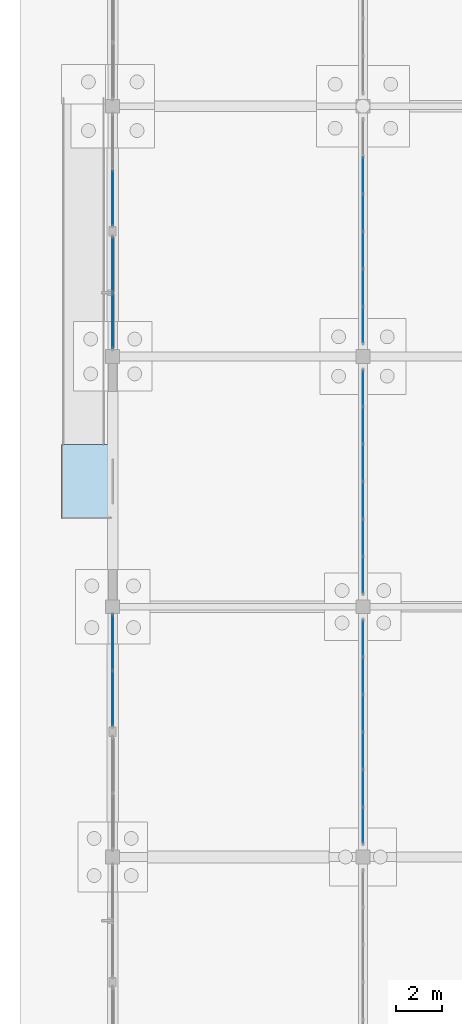
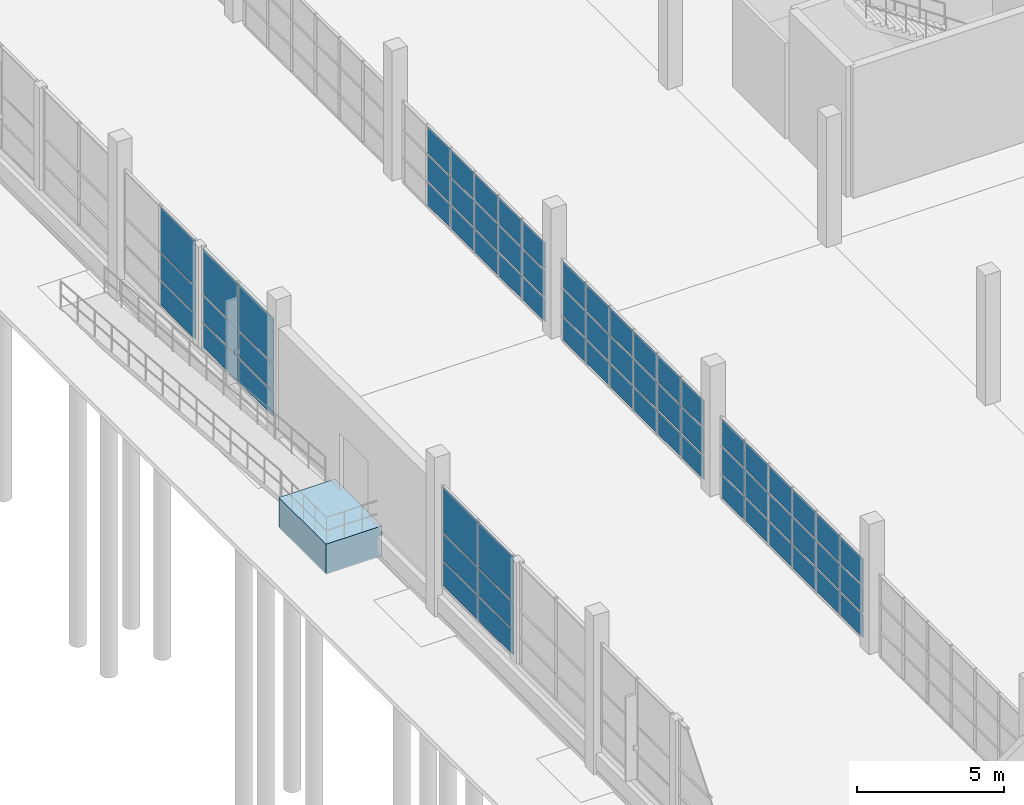
# One storey, part 82 of 138: 66 plates, 1 slab, 6 elements without a shape of their own.
"""IFC4 building model written with IfcOpenShell, lengths in metres."""

from ifc_helpers import new_model, si_unit, direction, frame, origin, origin_2d, place, context, subcontext, project, spatial, polyline, rectangle, outline, extrude, material, layer, layer_set, type_object, element, aggregate, save


model = new_model("IFC4")

# Units and contexts
model_context = context("Model", 3, precision=1e-05, world=origin(), true_north=direction((0.0, 1.0)))
body_context = subcontext(model_context, "Body", "Model", "MODEL_VIEW")
ifc_project = project(units=[si_unit("LENGTHUNIT", "METRE"), si_unit("AREAUNIT", "SQUARE_METRE"), si_unit("VOLUMEUNIT", "CUBIC_METRE"), si_unit("PLANEANGLEUNIT", "RADIAN"), si_unit("MASSUNIT", "GRAM", prefix="KILO")], contexts=[model_context])

# Site, building, storey
site_placement = place(None, origin())
site = spatial("IfcSite", under=ifc_project, at=site_placement, CompositionType="ELEMENT")
building_placement = place(site_placement, origin())
building = spatial("IfcBuilding", under=site, at=building_placement, Name="Zwinboog Wholesale Market", CompositionType="ELEMENT")
storey_placement = place(building_placement, origin())
storey = spatial("IfcBuildingStorey", under=building, at=storey_placement, Name="L00", CompositionType="ELEMENT", Elevation=0.0)

# Slab
ifc_material_1 = material(Name="Concrete C40/50", Category="concrete")
ifc_layer_1 = layer(ifc_material_1, 0.241943359375)
ifc_layer_set_1 = layer_set([ifc_layer_1], Name="Concrete C40/50")
slab_type = type_object("IfcSlabType", Name="SLT-EX-242", PredefinedType="FLOOR", material=ifc_layer_set_1)
slab_placement = place(storey_placement, frame((0.0, 0.0, -1.25)))
element("IfcSlab", 1, at=slab_placement, inside=storey, type_object=slab_type, Name="ST-242 (SLB-STP-01)", PredefinedType="FLOOR", context=body_context, shape_type="SweptSolid", body=[
    extrude(outline(polyline([(-2.199951171875, 47.0), (0.0, 47.0), (0.0, 50.199951171875), (-2.199951171875, 50.199951171875), (-2.199951171875, 47.0)])), origin(), (0.0, 0.0, 1.0), 1.25),
])

# Curtain wall, plates
ifc_material_2 = material(Name="Aluminium thermally broken curtain wall", Category="aluminium")
curtain_wall_type_1 = type_object("IfcCurtainWallType", Name="CWT-STALL-20", PredefinedType="USERDEFINED", material=ifc_material_2)
curtain_wall_1_placement = place(storey_placement, origin())
curtain_wall_1 = element("IfcCurtainWall", 2, at=curtain_wall_1_placement, inside=storey, type_object=curtain_wall_type_1, Name="CW-02 (CW-L00-008)", ObjectType="STOREFRONT_GLAZING", PredefinedType="USERDEFINED")
ifc_material_3 = material(Name="Double low-e insulated glazing", Category="glass")
ifc_layer_2 = layer(ifc_material_3, 0.031982421875)
ifc_layer_set_2 = layer_set([ifc_layer_2], Name="Double low-e insulated glazing")
plate_type_1 = type_object("IfcPlateType", Name="CWP-IGU-32", PredefinedType="CURTAIN_PANEL", material=ifc_layer_set_2)
plate_1_placement = place(storey_placement, frame((0.0, 39.2412109375, 0.06005859375), z_axis=(0.0, 0.0, 1.0), x_axis=(0.0, 1.0, 0.0)))
plate_1 = element("IfcPlate", 3, at=plate_1_placement, type_object=plate_type_1, Name="CW-02 panel 1.1", PredefinedType="CURTAIN_PANEL", context=body_context, shape_type="SweptSolid", body=[
    extrude(rectangle(XDim=2.362548828125, YDim=0.031982421875, at=origin_2d()), origin(), (0.0, 0.0, 1.0), 1.010009765625),
])
plate_2_placement = place(storey_placement, frame((0.0, 39.2412109375, 1.1298828125), z_axis=(0.0, 0.0, 1.0), x_axis=(0.0, 1.0, 0.0)))
plate_2 = element("IfcPlate", 4, at=plate_2_placement, type_object=plate_type_1, Name="CW-02 panel 1.2", PredefinedType="CURTAIN_PANEL", context=body_context, shape_type="SweptSolid", body=[
    extrude(rectangle(XDim=2.362548828125, YDim=0.031982421875, at=origin_2d()), origin(), (0.0, 0.0, 1.0), 1.090087890625),
])
plate_3_placement = place(storey_placement, frame((0.0, 39.2412109375, 2.280029296875), z_axis=(0.0, 0.0, 1.0), x_axis=(0.0, 1.0, 0.0)))
plate_3 = element("IfcPlate", 5, at=plate_3_placement, type_object=plate_type_1, Name="CW-02 panel 1.3", PredefinedType="CURTAIN_PANEL", context=body_context, shape_type="SweptSolid", body=[
    extrude(rectangle(XDim=2.362548828125, YDim=0.031982421875, at=origin_2d()), origin(), (0.0, 0.0, 1.0), 1.85791015625),
])
plate_4_placement = place(storey_placement, frame((0.0, 41.663818359375, 0.06005859375), z_axis=(0.0, 0.0, 1.0), x_axis=(0.0, 1.0, 0.0)))
plate_4 = element("IfcPlate", 6, at=plate_4_placement, type_object=plate_type_1, Name="CW-02 panel 2.1", PredefinedType="CURTAIN_PANEL", context=body_context, shape_type="SweptSolid", body=[
    extrude(rectangle(XDim=2.362548828125, YDim=0.031982421875, at=origin_2d()), origin(), (0.0, 0.0, 1.0), 1.010009765625),
])
plate_5_placement = place(storey_placement, frame((0.0, 41.663818359375, 1.1298828125), z_axis=(0.0, 0.0, 1.0), x_axis=(0.0, 1.0, 0.0)))
plate_5 = element("IfcPlate", 7, at=plate_5_placement, type_object=plate_type_1, Name="CW-02 panel 2.2", PredefinedType="CURTAIN_PANEL", context=body_context, shape_type="SweptSolid", body=[
    extrude(rectangle(XDim=2.362548828125, YDim=0.031982421875, at=origin_2d()), origin(), (0.0, 0.0, 1.0), 1.090087890625),
])
plate_6_placement = place(storey_placement, frame((0.0, 41.663818359375, 2.280029296875), z_axis=(0.0, 0.0, 1.0), x_axis=(0.0, 1.0, 0.0)))
plate_6 = element("IfcPlate", 8, at=plate_6_placement, type_object=plate_type_1, Name="CW-02 panel 2.3", PredefinedType="CURTAIN_PANEL", context=body_context, shape_type="SweptSolid", body=[
    extrude(rectangle(XDim=2.362548828125, YDim=0.031982421875, at=origin_2d()), origin(), (0.0, 0.0, 1.0), 1.85791015625),
])
aggregate(curtain_wall_1, [plate_1, plate_2, plate_3, plate_4, plate_5, plate_6])

curtain_wall_type_2 = type_object("IfcCurtainWallType", Name="CWT-HALL-24", PredefinedType="USERDEFINED", material=ifc_material_2)
curtain_wall_2_placement = place(storey_placement, origin())
curtain_wall_2 = element("IfcCurtainWall", 9, at=curtain_wall_2_placement, inside=storey, type_object=curtain_wall_type_2, Name="CW-03 (CW-L00-009)", ObjectType="UNITIZED_CURTAIN_WALL", PredefinedType="USERDEFINED")
plate_7_placement = place(storey_placement, frame((0.0, 55.53759765625, 0.06494140625), z_axis=(0.0, 0.0, 1.0), x_axis=(0.0, 1.0, 0.0)))
plate_7 = element("IfcPlate", 10, at=plate_7_placement, type_object=plate_type_1, Name="CW-03 panel 1.1", PredefinedType="CURTAIN_PANEL", context=body_context, shape_type="SweptSolid", body=[
    extrude(rectangle(XDim=2.35498046875, YDim=0.031982421875, at=origin_2d()), origin(), (0.0, 0.0, 1.0), 1.00244140625),
])
plate_8_placement = place(storey_placement, frame((0.0, 55.53759765625, 1.132568359375), z_axis=(0.0, 0.0, 1.0), x_axis=(0.0, 1.0, 0.0)))
plate_8 = element("IfcPlate", 11, at=plate_8_placement, type_object=plate_type_1, Name="CW-03 panel 1.2", PredefinedType="CURTAIN_PANEL", context=body_context, shape_type="SweptSolid", body=[
    extrude(rectangle(XDim=2.35498046875, YDim=0.031982421875, at=origin_2d()), origin(), (0.0, 0.0, 1.0), 1.0849609375),
])
plate_9_placement = place(storey_placement, frame((0.0, 55.53759765625, 2.282470703125), z_axis=(0.0, 0.0, 1.0), x_axis=(0.0, 1.0, 0.0)))
plate_9 = element("IfcPlate", 12, at=plate_9_placement, type_object=plate_type_1, Name="CW-03 panel 1.3", PredefinedType="CURTAIN_PANEL", context=body_context, shape_type="SweptSolid", body=[
    extrude(rectangle(XDim=2.35498046875, YDim=0.031982421875, at=origin_2d()), origin(), (0.0, 0.0, 1.0), 1.8505859375),
])
plate_10_placement = place(storey_placement, frame((0.0, 57.95751953125, 0.06494140625), z_axis=(0.0, 0.0, 1.0), x_axis=(0.0, 1.0, 0.0)))
plate_10 = element("IfcPlate", 13, at=plate_10_placement, type_object=plate_type_1, Name="CW-03 panel 2.1", PredefinedType="CURTAIN_PANEL", context=body_context, shape_type="SweptSolid", body=[
    extrude(rectangle(XDim=2.35498046875, YDim=0.031982421875, at=origin_2d()), origin(), (0.0, 0.0, 1.0), 1.00244140625),
])
plate_11_placement = place(storey_placement, frame((0.0, 57.95751953125, 1.132568359375), z_axis=(0.0, 0.0, 1.0), x_axis=(0.0, 1.0, 0.0)))
plate_11 = element("IfcPlate", 14, at=plate_11_placement, type_object=plate_type_1, Name="CW-03 panel 2.2", PredefinedType="CURTAIN_PANEL", context=body_context, shape_type="SweptSolid", body=[
    extrude(rectangle(XDim=2.35498046875, YDim=0.031982421875, at=origin_2d()), origin(), (0.0, 0.0, 1.0), 1.0849609375),
])
plate_12_placement = place(storey_placement, frame((0.0, 57.95751953125, 2.282470703125), z_axis=(0.0, 0.0, 1.0), x_axis=(0.0, 1.0, 0.0)))
plate_12 = element("IfcPlate", 15, at=plate_12_placement, type_object=plate_type_1, Name="CW-03 panel 2.3", PredefinedType="CURTAIN_PANEL", context=body_context, shape_type="SweptSolid", body=[
    extrude(rectangle(XDim=2.35498046875, YDim=0.031982421875, at=origin_2d()), origin(), (0.0, 0.0, 1.0), 1.8505859375),
])
aggregate(curtain_wall_2, [plate_7, plate_8, plate_9, plate_10, plate_11, plate_12])

curtain_wall_type_3 = type_object("IfcCurtainWallType", Name="CWT-GAL-16", PredefinedType="USERDEFINED", material=ifc_material_2)
curtain_wall_3_placement = place(storey_placement, origin())
curtain_wall_3 = element("IfcCurtainWall", 16, at=curtain_wall_3_placement, inside=storey, type_object=curtain_wall_type_3, Name="CW-04 (CW-L00-010)", ObjectType="UNITIZED_CURTAIN_WALL", PredefinedType="USERDEFINED")
plate_13_placement = place(storey_placement, frame((0.0, 60.84130859375, 0.06005859375), z_axis=(0.0, 0.0, 1.0), x_axis=(0.0, 1.0, 0.0)))
plate_13 = element("IfcPlate", 17, at=plate_13_placement, type_object=plate_type_1, Name="CW-04 panel 1.1", PredefinedType="CURTAIN_PANEL", context=body_context, shape_type="SweptSolid", body=[
    extrude(rectangle(XDim=2.362548828125, YDim=0.031982421875, at=origin_2d()), origin(), (0.0, 0.0, 1.0), 1.010009765625),
])
plate_14_placement = place(storey_placement, frame((0.0, 60.84130859375, 1.1298828125), z_axis=(0.0, 0.0, 1.0), x_axis=(0.0, 1.0, 0.0)))
plate_14 = element("IfcPlate", 18, at=plate_14_placement, type_object=plate_type_1, Name="CW-04 panel 1.2", PredefinedType="CURTAIN_PANEL", context=body_context, shape_type="SweptSolid", body=[
    extrude(rectangle(XDim=2.362548828125, YDim=0.031982421875, at=origin_2d()), origin(), (0.0, 0.0, 1.0), 1.090087890625),
])
plate_15_placement = place(storey_placement, frame((0.0, 60.84130859375, 2.280029296875), z_axis=(0.0, 0.0, 1.0), x_axis=(0.0, 1.0, 0.0)))
plate_15 = element("IfcPlate", 19, at=plate_15_placement, type_object=plate_type_1, Name="CW-04 panel 1.3", PredefinedType="CURTAIN_PANEL", context=body_context, shape_type="SweptSolid", body=[
    extrude(rectangle(XDim=2.362548828125, YDim=0.031982421875, at=origin_2d()), origin(), (0.0, 0.0, 1.0), 1.85791015625),
])
aggregate(curtain_wall_3, [plate_13, plate_14, plate_15])

curtain_wall_type_4 = type_object("IfcCurtainWallType", Name="CWT-INT-STALL", PredefinedType="USERDEFINED", material=ifc_material_2)
curtain_wall_4_placement = place(storey_placement, origin())
curtain_wall_4 = element("IfcCurtainWall", 20, at=curtain_wall_4_placement, inside=storey, type_object=curtain_wall_type_4, Name="CW-07 (CW-STL-212)", ObjectType="STOREFRONT_GLAZING", PredefinedType="USERDEFINED")
ifc_material_4 = material(Name="Tempered laminated market stall glazing", Category="glass")
ifc_layer_3 = layer(ifc_material_4, 0.01611328125)
ifc_layer_set_3 = layer_set([ifc_layer_3], Name="Tempered laminated market stall glazing")
plate_type_2 = type_object("IfcPlateType", Name="CWP-INT-16", PredefinedType="CURTAIN_PANEL", material=ifc_layer_set_3)
plate_16_placement = place(storey_placement, frame((10.800048828125, 33.7734375, 0.06005859375), z_axis=(0.0, 0.0, 1.0), x_axis=(0.0, 1.0, 0.0)))
plate_16 = element("IfcPlate", 21, at=plate_16_placement, type_object=plate_type_2, Name="CW-07 panel 1.1", PredefinedType="CURTAIN_PANEL", context=body_context, shape_type="SweptSolid", body=[
    extrude(rectangle(XDim=1.526611328125, YDim=0.01611328125, at=origin_2d()), origin(), (0.0, 0.0, 1.0), 0.9599609375),
])
plate_17_placement = place(storey_placement, frame((10.800048828125, 33.7734375, 1.080078125), z_axis=(0.0, 0.0, 1.0), x_axis=(0.0, 1.0, 0.0)))
plate_17 = element("IfcPlate", 22, at=plate_17_placement, type_object=plate_type_2, Name="CW-07 panel 1.2", PredefinedType="CURTAIN_PANEL", context=body_context, shape_type="SweptSolid", body=[
    extrude(rectangle(XDim=1.526611328125, YDim=0.01611328125, at=origin_2d()), origin(), (0.0, 0.0, 1.0), 1.090087890625),
])
plate_18_placement = place(storey_placement, frame((10.800048828125, 33.7734375, 2.22998046875), z_axis=(0.0, 0.0, 1.0), x_axis=(0.0, 1.0, 0.0)))
plate_18 = element("IfcPlate", 23, at=plate_18_placement, type_object=plate_type_2, Name="CW-07 panel 1.3", PredefinedType="CURTAIN_PANEL", context=body_context, shape_type="SweptSolid", body=[
    extrude(rectangle(XDim=1.526611328125, YDim=0.01611328125, at=origin_2d()), origin(), (0.0, 0.0, 1.0), 1.110107421875),
])
plate_19_placement = place(storey_placement, frame((10.800048828125, 35.375, 0.06005859375), z_axis=(0.0, 0.0, 1.0), x_axis=(0.0, 1.0, 0.0)))
plate_19 = element("IfcPlate", 24, at=plate_19_placement, type_object=plate_type_2, Name="CW-07 panel 2.1", PredefinedType="CURTAIN_PANEL", context=body_context, shape_type="SweptSolid", body=[
    extrude(rectangle(XDim=1.556640625, YDim=0.01611328125, at=origin_2d()), origin(), (0.0, 0.0, 1.0), 0.9599609375),
])
plate_20_placement = place(storey_placement, frame((10.800048828125, 35.375, 1.080078125), z_axis=(0.0, 0.0, 1.0), x_axis=(0.0, 1.0, 0.0)))
plate_20 = element("IfcPlate", 25, at=plate_20_placement, type_object=plate_type_2, Name="CW-07 panel 2.2", PredefinedType="CURTAIN_PANEL", context=body_context, shape_type="SweptSolid", body=[
    extrude(rectangle(XDim=1.556640625, YDim=0.01611328125, at=origin_2d()), origin(), (0.0, 0.0, 1.0), 1.090087890625),
])
plate_21_placement = place(storey_placement, frame((10.800048828125, 35.375, 2.22998046875), z_axis=(0.0, 0.0, 1.0), x_axis=(0.0, 1.0, 0.0)))
plate_21 = element("IfcPlate", 26, at=plate_21_placement, type_object=plate_type_2, Name="CW-07 panel 2.3", PredefinedType="CURTAIN_PANEL", context=body_context, shape_type="SweptSolid", body=[
    extrude(rectangle(XDim=1.556640625, YDim=0.01611328125, at=origin_2d()), origin(), (0.0, 0.0, 1.0), 1.110107421875),
])
plate_22_placement = place(storey_placement, frame((10.800048828125, 36.99169921875, 0.06005859375), z_axis=(0.0, 0.0, 1.0), x_axis=(0.0, 1.0, 0.0)))
plate_22 = element("IfcPlate", 27, at=plate_22_placement, type_object=plate_type_2, Name="CW-07 panel 3.1", PredefinedType="CURTAIN_PANEL", context=body_context, shape_type="SweptSolid", body=[
    extrude(rectangle(XDim=1.556640625, YDim=0.01611328125, at=origin_2d()), origin(), (0.0, 0.0, 1.0), 0.9599609375),
])
plate_23_placement = place(storey_placement, frame((10.800048828125, 36.99169921875, 1.080078125), z_axis=(0.0, 0.0, 1.0), x_axis=(0.0, 1.0, 0.0)))
plate_23 = element("IfcPlate", 28, at=plate_23_placement, type_object=plate_type_2, Name="CW-07 panel 3.2", PredefinedType="CURTAIN_PANEL", context=body_context, shape_type="SweptSolid", body=[
    extrude(rectangle(XDim=1.556640625, YDim=0.01611328125, at=origin_2d()), origin(), (0.0, 0.0, 1.0), 1.090087890625),
])
plate_24_placement = place(storey_placement, frame((10.800048828125, 36.99169921875, 2.22998046875), z_axis=(0.0, 0.0, 1.0), x_axis=(0.0, 1.0, 0.0)))
plate_24 = element("IfcPlate", 29, at=plate_24_placement, type_object=plate_type_2, Name="CW-07 panel 3.3", PredefinedType="CURTAIN_PANEL", context=body_context, shape_type="SweptSolid", body=[
    extrude(rectangle(XDim=1.556640625, YDim=0.01611328125, at=origin_2d()), origin(), (0.0, 0.0, 1.0), 1.110107421875),
])
plate_25_placement = place(storey_placement, frame((10.800048828125, 38.6083984375, 0.06005859375), z_axis=(0.0, 0.0, 1.0), x_axis=(0.0, 1.0, 0.0)))
plate_25 = element("IfcPlate", 30, at=plate_25_placement, type_object=plate_type_2, Name="CW-07 panel 4.1", PredefinedType="CURTAIN_PANEL", context=body_context, shape_type="SweptSolid", body=[
    extrude(rectangle(XDim=1.556640625, YDim=0.01611328125, at=origin_2d()), origin(), (0.0, 0.0, 1.0), 0.9599609375),
])
plate_26_placement = place(storey_placement, frame((10.800048828125, 38.6083984375, 1.080078125), z_axis=(0.0, 0.0, 1.0), x_axis=(0.0, 1.0, 0.0)))
plate_26 = element("IfcPlate", 31, at=plate_26_placement, type_object=plate_type_2, Name="CW-07 panel 4.2", PredefinedType="CURTAIN_PANEL", context=body_context, shape_type="SweptSolid", body=[
    extrude(rectangle(XDim=1.556640625, YDim=0.01611328125, at=origin_2d()), origin(), (0.0, 0.0, 1.0), 1.090087890625),
])
plate_27_placement = place(storey_placement, frame((10.800048828125, 38.6083984375, 2.22998046875), z_axis=(0.0, 0.0, 1.0), x_axis=(0.0, 1.0, 0.0)))
plate_27 = element("IfcPlate", 32, at=plate_27_placement, type_object=plate_type_2, Name="CW-07 panel 4.3", PredefinedType="CURTAIN_PANEL", context=body_context, shape_type="SweptSolid", body=[
    extrude(rectangle(XDim=1.556640625, YDim=0.01611328125, at=origin_2d()), origin(), (0.0, 0.0, 1.0), 1.110107421875),
])
plate_28_placement = place(storey_placement, frame((10.800048828125, 40.22509765625, 0.06005859375), z_axis=(0.0, 0.0, 1.0), x_axis=(0.0, 1.0, 0.0)))
plate_28 = element("IfcPlate", 33, at=plate_28_placement, type_object=plate_type_2, Name="CW-07 panel 5.1", PredefinedType="CURTAIN_PANEL", context=body_context, shape_type="SweptSolid", body=[
    extrude(rectangle(XDim=1.556640625, YDim=0.01611328125, at=origin_2d()), origin(), (0.0, 0.0, 1.0), 0.9599609375),
])
plate_29_placement = place(storey_placement, frame((10.800048828125, 40.22509765625, 1.080078125), z_axis=(0.0, 0.0, 1.0), x_axis=(0.0, 1.0, 0.0)))
plate_29 = element("IfcPlate", 34, at=plate_29_placement, type_object=plate_type_2, Name="CW-07 panel 5.2", PredefinedType="CURTAIN_PANEL", context=body_context, shape_type="SweptSolid", body=[
    extrude(rectangle(XDim=1.556640625, YDim=0.01611328125, at=origin_2d()), origin(), (0.0, 0.0, 1.0), 1.090087890625),
])
plate_30_placement = place(storey_placement, frame((10.800048828125, 40.22509765625, 2.22998046875), z_axis=(0.0, 0.0, 1.0), x_axis=(0.0, 1.0, 0.0)))
plate_30 = element("IfcPlate", 35, at=plate_30_placement, type_object=plate_type_2, Name="CW-07 panel 5.3", PredefinedType="CURTAIN_PANEL", context=body_context, shape_type="SweptSolid", body=[
    extrude(rectangle(XDim=1.556640625, YDim=0.01611328125, at=origin_2d()), origin(), (0.0, 0.0, 1.0), 1.110107421875),
])
plate_31_placement = place(storey_placement, frame((10.800048828125, 41.82666015625, 0.06005859375), z_axis=(0.0, 0.0, 1.0), x_axis=(0.0, 1.0, 0.0)))
plate_31 = element("IfcPlate", 36, at=plate_31_placement, type_object=plate_type_2, Name="CW-07 panel 6.1", PredefinedType="CURTAIN_PANEL", context=body_context, shape_type="SweptSolid", body=[
    extrude(rectangle(XDim=1.526611328125, YDim=0.01611328125, at=origin_2d()), origin(), (0.0, 0.0, 1.0), 0.9599609375),
])
plate_32_placement = place(storey_placement, frame((10.800048828125, 41.82666015625, 1.080078125), z_axis=(0.0, 0.0, 1.0), x_axis=(0.0, 1.0, 0.0)))
plate_32 = element("IfcPlate", 37, at=plate_32_placement, type_object=plate_type_2, Name="CW-07 panel 6.2", PredefinedType="CURTAIN_PANEL", context=body_context, shape_type="SweptSolid", body=[
    extrude(rectangle(XDim=1.526611328125, YDim=0.01611328125, at=origin_2d()), origin(), (0.0, 0.0, 1.0), 1.090087890625),
])
plate_33_placement = place(storey_placement, frame((10.800048828125, 41.82666015625, 2.22998046875), z_axis=(0.0, 0.0, 1.0), x_axis=(0.0, 1.0, 0.0)))
plate_33 = element("IfcPlate", 38, at=plate_33_placement, type_object=plate_type_2, Name="CW-07 panel 6.3", PredefinedType="CURTAIN_PANEL", context=body_context, shape_type="SweptSolid", body=[
    extrude(rectangle(XDim=1.526611328125, YDim=0.01611328125, at=origin_2d()), origin(), (0.0, 0.0, 1.0), 1.110107421875),
])
aggregate(curtain_wall_4, [plate_16, plate_17, plate_18, plate_19, plate_20, plate_21, plate_22, plate_23, plate_24, plate_25, plate_26, plate_27, plate_28, plate_29, plate_30, plate_31, plate_32, plate_33])

curtain_wall_5_placement = place(storey_placement, origin())
curtain_wall_5 = element("IfcCurtainWall", 39, at=curtain_wall_5_placement, inside=storey, type_object=curtain_wall_type_4, Name="CW-07 (CW-STL-213)", ObjectType="STOREFRONT_GLAZING", PredefinedType="USERDEFINED")
plate_34_placement = place(storey_placement, frame((10.800048828125, 44.5732421875, 0.06005859375), z_axis=(0.0, 0.0, 1.0), x_axis=(0.0, 1.0, 0.0)))
plate_34 = element("IfcPlate", 40, at=plate_34_placement, type_object=plate_type_2, Name="CW-07 panel 1.1", PredefinedType="CURTAIN_PANEL", context=body_context, shape_type="SweptSolid", body=[
    extrude(rectangle(XDim=1.526611328125, YDim=0.01611328125, at=origin_2d()), origin(), (0.0, 0.0, 1.0), 0.9599609375),
])
plate_35_placement = place(storey_placement, frame((10.800048828125, 44.5732421875, 1.080078125), z_axis=(0.0, 0.0, 1.0), x_axis=(0.0, 1.0, 0.0)))
plate_35 = element("IfcPlate", 41, at=plate_35_placement, type_object=plate_type_2, Name="CW-07 panel 1.2", PredefinedType="CURTAIN_PANEL", context=body_context, shape_type="SweptSolid", body=[
    extrude(rectangle(XDim=1.526611328125, YDim=0.01611328125, at=origin_2d()), origin(), (0.0, 0.0, 1.0), 1.090087890625),
])
plate_36_placement = place(storey_placement, frame((10.800048828125, 44.5732421875, 2.22998046875), z_axis=(0.0, 0.0, 1.0), x_axis=(0.0, 1.0, 0.0)))
plate_36 = element("IfcPlate", 42, at=plate_36_placement, type_object=plate_type_2, Name="CW-07 panel 1.3", PredefinedType="CURTAIN_PANEL", context=body_context, shape_type="SweptSolid", body=[
    extrude(rectangle(XDim=1.526611328125, YDim=0.01611328125, at=origin_2d()), origin(), (0.0, 0.0, 1.0), 1.110107421875),
])
plate_37_placement = place(storey_placement, frame((10.800048828125, 46.175048828125, 0.06005859375), z_axis=(0.0, 0.0, 1.0), x_axis=(0.0, 1.0, 0.0)))
plate_37 = element("IfcPlate", 43, at=plate_37_placement, type_object=plate_type_2, Name="CW-07 panel 2.1", PredefinedType="CURTAIN_PANEL", context=body_context, shape_type="SweptSolid", body=[
    extrude(rectangle(XDim=1.556640625, YDim=0.01611328125, at=origin_2d()), origin(), (0.0, 0.0, 1.0), 0.9599609375),
])
plate_38_placement = place(storey_placement, frame((10.800048828125, 46.175048828125, 1.080078125), z_axis=(0.0, 0.0, 1.0), x_axis=(0.0, 1.0, 0.0)))
plate_38 = element("IfcPlate", 44, at=plate_38_placement, type_object=plate_type_2, Name="CW-07 panel 2.2", PredefinedType="CURTAIN_PANEL", context=body_context, shape_type="SweptSolid", body=[
    extrude(rectangle(XDim=1.556640625, YDim=0.01611328125, at=origin_2d()), origin(), (0.0, 0.0, 1.0), 1.090087890625),
])
plate_39_placement = place(storey_placement, frame((10.800048828125, 46.175048828125, 2.22998046875), z_axis=(0.0, 0.0, 1.0), x_axis=(0.0, 1.0, 0.0)))
plate_39 = element("IfcPlate", 45, at=plate_39_placement, type_object=plate_type_2, Name="CW-07 panel 2.3", PredefinedType="CURTAIN_PANEL", context=body_context, shape_type="SweptSolid", body=[
    extrude(rectangle(XDim=1.556640625, YDim=0.01611328125, at=origin_2d()), origin(), (0.0, 0.0, 1.0), 1.110107421875),
])
plate_40_placement = place(storey_placement, frame((10.800048828125, 47.791748046875, 0.06005859375), z_axis=(0.0, 0.0, 1.0), x_axis=(0.0, 1.0, 0.0)))
plate_40 = element("IfcPlate", 46, at=plate_40_placement, type_object=plate_type_2, Name="CW-07 panel 3.1", PredefinedType="CURTAIN_PANEL", context=body_context, shape_type="SweptSolid", body=[
    extrude(rectangle(XDim=1.556640625, YDim=0.01611328125, at=origin_2d()), origin(), (0.0, 0.0, 1.0), 0.9599609375),
])
plate_41_placement = place(storey_placement, frame((10.800048828125, 47.791748046875, 1.080078125), z_axis=(0.0, 0.0, 1.0), x_axis=(0.0, 1.0, 0.0)))
plate_41 = element("IfcPlate", 47, at=plate_41_placement, type_object=plate_type_2, Name="CW-07 panel 3.2", PredefinedType="CURTAIN_PANEL", context=body_context, shape_type="SweptSolid", body=[
    extrude(rectangle(XDim=1.556640625, YDim=0.01611328125, at=origin_2d()), origin(), (0.0, 0.0, 1.0), 1.090087890625),
])
plate_42_placement = place(storey_placement, frame((10.800048828125, 47.791748046875, 2.22998046875), z_axis=(0.0, 0.0, 1.0), x_axis=(0.0, 1.0, 0.0)))
plate_42 = element("IfcPlate", 48, at=plate_42_placement, type_object=plate_type_2, Name="CW-07 panel 3.3", PredefinedType="CURTAIN_PANEL", context=body_context, shape_type="SweptSolid", body=[
    extrude(rectangle(XDim=1.556640625, YDim=0.01611328125, at=origin_2d()), origin(), (0.0, 0.0, 1.0), 1.110107421875),
])
plate_43_placement = place(storey_placement, frame((10.800048828125, 49.408447265625, 0.06005859375), z_axis=(0.0, 0.0, 1.0), x_axis=(0.0, 1.0, 0.0)))
plate_43 = element("IfcPlate", 49, at=plate_43_placement, type_object=plate_type_2, Name="CW-07 panel 4.1", PredefinedType="CURTAIN_PANEL", context=body_context, shape_type="SweptSolid", body=[
    extrude(rectangle(XDim=1.556640625, YDim=0.01611328125, at=origin_2d()), origin(), (0.0, 0.0, 1.0), 0.9599609375),
])
plate_44_placement = place(storey_placement, frame((10.800048828125, 49.408447265625, 1.080078125), z_axis=(0.0, 0.0, 1.0), x_axis=(0.0, 1.0, 0.0)))
plate_44 = element("IfcPlate", 50, at=plate_44_placement, type_object=plate_type_2, Name="CW-07 panel 4.2", PredefinedType="CURTAIN_PANEL", context=body_context, shape_type="SweptSolid", body=[
    extrude(rectangle(XDim=1.556640625, YDim=0.01611328125, at=origin_2d()), origin(), (0.0, 0.0, 1.0), 1.090087890625),
])
plate_45_placement = place(storey_placement, frame((10.800048828125, 49.408447265625, 2.22998046875), z_axis=(0.0, 0.0, 1.0), x_axis=(0.0, 1.0, 0.0)))
plate_45 = element("IfcPlate", 51, at=plate_45_placement, type_object=plate_type_2, Name="CW-07 panel 4.3", PredefinedType="CURTAIN_PANEL", context=body_context, shape_type="SweptSolid", body=[
    extrude(rectangle(XDim=1.556640625, YDim=0.01611328125, at=origin_2d()), origin(), (0.0, 0.0, 1.0), 1.110107421875),
])
plate_46_placement = place(storey_placement, frame((10.800048828125, 51.02490234375, 0.06005859375), z_axis=(0.0, 0.0, 1.0), x_axis=(0.0, 1.0, 0.0)))
plate_46 = element("IfcPlate", 52, at=plate_46_placement, type_object=plate_type_2, Name="CW-07 panel 5.1", PredefinedType="CURTAIN_PANEL", context=body_context, shape_type="SweptSolid", body=[
    extrude(rectangle(XDim=1.556640625, YDim=0.01611328125, at=origin_2d()), origin(), (0.0, 0.0, 1.0), 0.9599609375),
])
plate_47_placement = place(storey_placement, frame((10.800048828125, 51.02490234375, 1.080078125), z_axis=(0.0, 0.0, 1.0), x_axis=(0.0, 1.0, 0.0)))
plate_47 = element("IfcPlate", 53, at=plate_47_placement, type_object=plate_type_2, Name="CW-07 panel 5.2", PredefinedType="CURTAIN_PANEL", context=body_context, shape_type="SweptSolid", body=[
    extrude(rectangle(XDim=1.556640625, YDim=0.01611328125, at=origin_2d()), origin(), (0.0, 0.0, 1.0), 1.090087890625),
])
plate_48_placement = place(storey_placement, frame((10.800048828125, 51.02490234375, 2.22998046875), z_axis=(0.0, 0.0, 1.0), x_axis=(0.0, 1.0, 0.0)))
plate_48 = element("IfcPlate", 54, at=plate_48_placement, type_object=plate_type_2, Name="CW-07 panel 5.3", PredefinedType="CURTAIN_PANEL", context=body_context, shape_type="SweptSolid", body=[
    extrude(rectangle(XDim=1.556640625, YDim=0.01611328125, at=origin_2d()), origin(), (0.0, 0.0, 1.0), 1.110107421875),
])
plate_49_placement = place(storey_placement, frame((10.800048828125, 52.626708984375, 0.06005859375), z_axis=(0.0, 0.0, 1.0), x_axis=(0.0, 1.0, 0.0)))
plate_49 = element("IfcPlate", 55, at=plate_49_placement, type_object=plate_type_2, Name="CW-07 panel 6.1", PredefinedType="CURTAIN_PANEL", context=body_context, shape_type="SweptSolid", body=[
    extrude(rectangle(XDim=1.526611328125, YDim=0.01611328125, at=origin_2d()), origin(), (0.0, 0.0, 1.0), 0.9599609375),
])
plate_50_placement = place(storey_placement, frame((10.800048828125, 52.626708984375, 1.080078125), z_axis=(0.0, 0.0, 1.0), x_axis=(0.0, 1.0, 0.0)))
plate_50 = element("IfcPlate", 56, at=plate_50_placement, type_object=plate_type_2, Name="CW-07 panel 6.2", PredefinedType="CURTAIN_PANEL", context=body_context, shape_type="SweptSolid", body=[
    extrude(rectangle(XDim=1.526611328125, YDim=0.01611328125, at=origin_2d()), origin(), (0.0, 0.0, 1.0), 1.090087890625),
])
plate_51_placement = place(storey_placement, frame((10.800048828125, 52.626708984375, 2.22998046875), z_axis=(0.0, 0.0, 1.0), x_axis=(0.0, 1.0, 0.0)))
plate_51 = element("IfcPlate", 57, at=plate_51_placement, type_object=plate_type_2, Name="CW-07 panel 6.3", PredefinedType="CURTAIN_PANEL", context=body_context, shape_type="SweptSolid", body=[
    extrude(rectangle(XDim=1.526611328125, YDim=0.01611328125, at=origin_2d()), origin(), (0.0, 0.0, 1.0), 1.110107421875),
])
aggregate(curtain_wall_5, [plate_34, plate_35, plate_36, plate_37, plate_38, plate_39, plate_40, plate_41, plate_42, plate_43, plate_44, plate_45, plate_46, plate_47, plate_48, plate_49, plate_50, plate_51])

curtain_wall_6_placement = place(storey_placement, origin())
curtain_wall_6 = element("IfcCurtainWall", 58, at=curtain_wall_6_placement, inside=storey, type_object=curtain_wall_type_4, Name="CW-07 (CW-STL-214)", ObjectType="STOREFRONT_GLAZING", PredefinedType="USERDEFINED")
plate_52_placement = place(storey_placement, frame((10.800048828125, 55.373291015625, 0.06005859375), z_axis=(0.0, 0.0, 1.0), x_axis=(0.0, 1.0, 0.0)))
plate_52 = element("IfcPlate", 59, at=plate_52_placement, type_object=plate_type_2, Name="CW-07 panel 1.1", PredefinedType="CURTAIN_PANEL", context=body_context, shape_type="SweptSolid", body=[
    extrude(rectangle(XDim=1.526611328125, YDim=0.01611328125, at=origin_2d()), origin(), (0.0, 0.0, 1.0), 0.9599609375),
])
plate_53_placement = place(storey_placement, frame((10.800048828125, 55.373291015625, 1.080078125), z_axis=(0.0, 0.0, 1.0), x_axis=(0.0, 1.0, 0.0)))
plate_53 = element("IfcPlate", 60, at=plate_53_placement, type_object=plate_type_2, Name="CW-07 panel 1.2", PredefinedType="CURTAIN_PANEL", context=body_context, shape_type="SweptSolid", body=[
    extrude(rectangle(XDim=1.526611328125, YDim=0.01611328125, at=origin_2d()), origin(), (0.0, 0.0, 1.0), 1.090087890625),
])
plate_54_placement = place(storey_placement, frame((10.800048828125, 55.373291015625, 2.22998046875), z_axis=(0.0, 0.0, 1.0), x_axis=(0.0, 1.0, 0.0)))
plate_54 = element("IfcPlate", 61, at=plate_54_placement, type_object=plate_type_2, Name="CW-07 panel 1.3", PredefinedType="CURTAIN_PANEL", context=body_context, shape_type="SweptSolid", body=[
    extrude(rectangle(XDim=1.526611328125, YDim=0.01611328125, at=origin_2d()), origin(), (0.0, 0.0, 1.0), 1.110107421875),
])
plate_55_placement = place(storey_placement, frame((10.800048828125, 56.97509765625, 0.06005859375), z_axis=(0.0, 0.0, 1.0), x_axis=(0.0, 1.0, 0.0)))
plate_55 = element("IfcPlate", 62, at=plate_55_placement, type_object=plate_type_2, Name="CW-07 panel 2.1", PredefinedType="CURTAIN_PANEL", context=body_context, shape_type="SweptSolid", body=[
    extrude(rectangle(XDim=1.556640625, YDim=0.01611328125, at=origin_2d()), origin(), (0.0, 0.0, 1.0), 0.9599609375),
])
plate_56_placement = place(storey_placement, frame((10.800048828125, 56.97509765625, 1.080078125), z_axis=(0.0, 0.0, 1.0), x_axis=(0.0, 1.0, 0.0)))
plate_56 = element("IfcPlate", 63, at=plate_56_placement, type_object=plate_type_2, Name="CW-07 panel 2.2", PredefinedType="CURTAIN_PANEL", context=body_context, shape_type="SweptSolid", body=[
    extrude(rectangle(XDim=1.556640625, YDim=0.01611328125, at=origin_2d()), origin(), (0.0, 0.0, 1.0), 1.090087890625),
])
plate_57_placement = place(storey_placement, frame((10.800048828125, 56.97509765625, 2.22998046875), z_axis=(0.0, 0.0, 1.0), x_axis=(0.0, 1.0, 0.0)))
plate_57 = element("IfcPlate", 64, at=plate_57_placement, type_object=plate_type_2, Name="CW-07 panel 2.3", PredefinedType="CURTAIN_PANEL", context=body_context, shape_type="SweptSolid", body=[
    extrude(rectangle(XDim=1.556640625, YDim=0.01611328125, at=origin_2d()), origin(), (0.0, 0.0, 1.0), 1.110107421875),
])
plate_58_placement = place(storey_placement, frame((10.800048828125, 58.591552734375, 0.06005859375), z_axis=(0.0, 0.0, 1.0), x_axis=(0.0, 1.0, 0.0)))
plate_58 = element("IfcPlate", 65, at=plate_58_placement, type_object=plate_type_2, Name="CW-07 panel 3.1", PredefinedType="CURTAIN_PANEL", context=body_context, shape_type="SweptSolid", body=[
    extrude(rectangle(XDim=1.556640625, YDim=0.01611328125, at=origin_2d()), origin(), (0.0, 0.0, 1.0), 0.9599609375),
])
plate_59_placement = place(storey_placement, frame((10.800048828125, 58.591552734375, 1.080078125), z_axis=(0.0, 0.0, 1.0), x_axis=(0.0, 1.0, 0.0)))
plate_59 = element("IfcPlate", 66, at=plate_59_placement, type_object=plate_type_2, Name="CW-07 panel 3.2", PredefinedType="CURTAIN_PANEL", context=body_context, shape_type="SweptSolid", body=[
    extrude(rectangle(XDim=1.556640625, YDim=0.01611328125, at=origin_2d()), origin(), (0.0, 0.0, 1.0), 1.090087890625),
])
plate_60_placement = place(storey_placement, frame((10.800048828125, 58.591552734375, 2.22998046875), z_axis=(0.0, 0.0, 1.0), x_axis=(0.0, 1.0, 0.0)))
plate_60 = element("IfcPlate", 67, at=plate_60_placement, type_object=plate_type_2, Name="CW-07 panel 3.3", PredefinedType="CURTAIN_PANEL", context=body_context, shape_type="SweptSolid", body=[
    extrude(rectangle(XDim=1.556640625, YDim=0.01611328125, at=origin_2d()), origin(), (0.0, 0.0, 1.0), 1.110107421875),
])
plate_61_placement = place(storey_placement, frame((10.800048828125, 60.208251953125, 0.06005859375), z_axis=(0.0, 0.0, 1.0), x_axis=(0.0, 1.0, 0.0)))
plate_61 = element("IfcPlate", 68, at=plate_61_placement, type_object=plate_type_2, Name="CW-07 panel 4.1", PredefinedType="CURTAIN_PANEL", context=body_context, shape_type="SweptSolid", body=[
    extrude(rectangle(XDim=1.556640625, YDim=0.01611328125, at=origin_2d()), origin(), (0.0, 0.0, 1.0), 0.9599609375),
])
plate_62_placement = place(storey_placement, frame((10.800048828125, 60.208251953125, 1.080078125), z_axis=(0.0, 0.0, 1.0), x_axis=(0.0, 1.0, 0.0)))
plate_62 = element("IfcPlate", 69, at=plate_62_placement, type_object=plate_type_2, Name="CW-07 panel 4.2", PredefinedType="CURTAIN_PANEL", context=body_context, shape_type="SweptSolid", body=[
    extrude(rectangle(XDim=1.556640625, YDim=0.01611328125, at=origin_2d()), origin(), (0.0, 0.0, 1.0), 1.090087890625),
])
plate_63_placement = place(storey_placement, frame((10.800048828125, 60.208251953125, 2.22998046875), z_axis=(0.0, 0.0, 1.0), x_axis=(0.0, 1.0, 0.0)))
plate_63 = element("IfcPlate", 70, at=plate_63_placement, type_object=plate_type_2, Name="CW-07 panel 4.3", PredefinedType="CURTAIN_PANEL", context=body_context, shape_type="SweptSolid", body=[
    extrude(rectangle(XDim=1.556640625, YDim=0.01611328125, at=origin_2d()), origin(), (0.0, 0.0, 1.0), 1.110107421875),
])
plate_64_placement = place(storey_placement, frame((10.800048828125, 61.824951171875, 0.06005859375), z_axis=(0.0, 0.0, 1.0), x_axis=(0.0, 1.0, 0.0)))
plate_64 = element("IfcPlate", 71, at=plate_64_placement, type_object=plate_type_2, Name="CW-07 panel 5.1", PredefinedType="CURTAIN_PANEL", context=body_context, shape_type="SweptSolid", body=[
    extrude(rectangle(XDim=1.556640625, YDim=0.01611328125, at=origin_2d()), origin(), (0.0, 0.0, 1.0), 0.9599609375),
])
plate_65_placement = place(storey_placement, frame((10.800048828125, 61.824951171875, 1.080078125), z_axis=(0.0, 0.0, 1.0), x_axis=(0.0, 1.0, 0.0)))
plate_65 = element("IfcPlate", 72, at=plate_65_placement, type_object=plate_type_2, Name="CW-07 panel 5.2", PredefinedType="CURTAIN_PANEL", context=body_context, shape_type="SweptSolid", body=[
    extrude(rectangle(XDim=1.556640625, YDim=0.01611328125, at=origin_2d()), origin(), (0.0, 0.0, 1.0), 1.090087890625),
])
plate_66_placement = place(storey_placement, frame((10.800048828125, 61.824951171875, 2.22998046875), z_axis=(0.0, 0.0, 1.0), x_axis=(0.0, 1.0, 0.0)))
plate_66 = element("IfcPlate", 73, at=plate_66_placement, type_object=plate_type_2, Name="CW-07 panel 5.3", PredefinedType="CURTAIN_PANEL", context=body_context, shape_type="SweptSolid", body=[
    extrude(rectangle(XDim=1.556640625, YDim=0.01611328125, at=origin_2d()), origin(), (0.0, 0.0, 1.0), 1.110107421875),
])
aggregate(curtain_wall_6, [plate_52, plate_53, plate_54, plate_55, plate_56, plate_57, plate_58, plate_59, plate_60, plate_61, plate_62, plate_63, plate_64, plate_65, plate_66])

save(model, "model.ifc")
